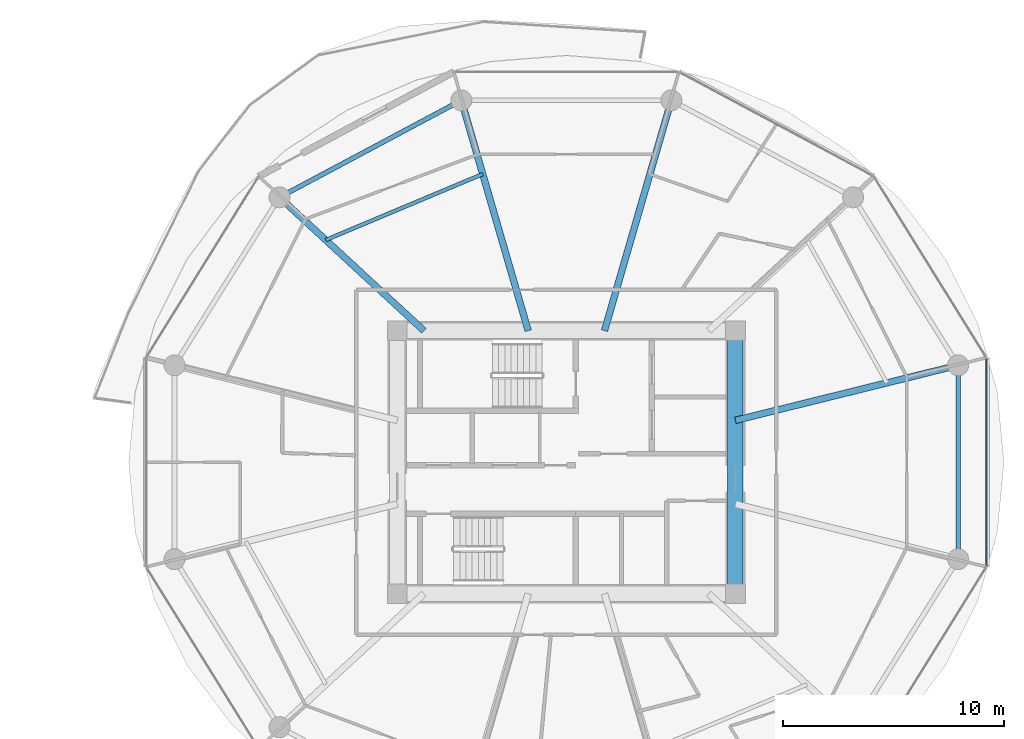
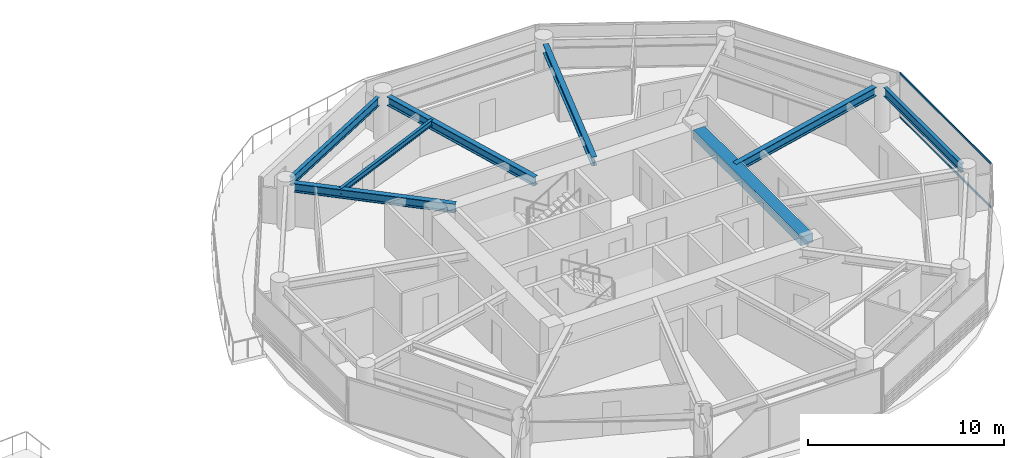
# One storey, part 12 of 26: 8 beams, 2 members, 1 element without a shape of its own.
"""IFC4 building model written with IfcOpenShell, lengths in metres."""

import ifcopenshell
import ifcopenshell.guid

model = None  # the IFC model being written
_history = None  # IfcOwnerHistory: only IFC2X3 demands one
_inside = {}  # id of a spatial element -> (the spatial element, [elements in it])
_under = {}  # id of a project, library or spatial element -> (it, [spatial elements below it])
_declared = {}  # id of a project -> (the project, [libraries it declares])
_typed = {}  # id of a type object -> (the type object, [elements of that type])
_made_of = {}  # id of a material, layer set ... -> (it, [elements and type objects made of it])


def new_model(schema):
    """Start an empty IFC model of exactly this schema.

    Asked for "IFC4X3", IfcOpenShell would pick the latest addendum, in which some entities
    have other attributes; the version numbers below select the first issue.
    IFC2X3 requires an IfcOwnerHistory on every rooted entity: one is made here for all.
    """
    global model, _history
    if schema == "IFC4X3":
        model = ifcopenshell.file(schema_version=(4, 3, 0, 0))
    else:
        model = ifcopenshell.file(schema=schema)
    _inside.clear()
    _under.clear()
    _declared.clear()
    _typed.clear()
    _made_of.clear()
    _history = None
    if model.schema == "IFC2X3":
        org = make("IfcOrganization", Name="unknown")
        user = make(
            "IfcPersonAndOrganization",
            ThePerson=make("IfcPerson", FamilyName="unknown"),
            TheOrganization=org,
        )
        app = make(
            "IfcApplication",
            ApplicationDeveloper=org,
            Version="unknown",
            ApplicationFullName="unknown",
            ApplicationIdentifier="unknown",
        )
        _history = make(
            "IfcOwnerHistory",
            OwningUser=user,
            OwningApplication=app,
            ChangeAction="ADDED",
            CreationDate=0,
        )
    return model


def make(cls, **values):
    """One entity of the class cls with the attributes given. An attribute that is None is left unset."""
    return model.create_entity(
        cls, **{name: value for name, value in values.items() if value is not None}
    )


def rooted(cls, **values):
    """An entity with a GlobalId (a new one), such as an element, a storey or a relation."""
    return make(cls, GlobalId=ifcopenshell.guid.new(), OwnerHistory=_history, **values)


def si_unit(unit_type, name, prefix=None):
    """IfcSIUnit, for example si_unit("LENGTHUNIT", "METRE", prefix="MILLI")."""
    return make("IfcSIUnit", UnitType=unit_type, Prefix=prefix, Name=name)


def assignment(units):
    """IfcUnitAssignment: the units of a project."""
    return None if units is None else make("IfcUnitAssignment", Units=units)


def point(xyz):
    """IfcCartesianPoint."""
    return None if xyz is None else make("IfcCartesianPoint", Coordinates=xyz)


def direction(xyz):
    """IfcDirection."""
    return None if xyz is None else make("IfcDirection", DirectionRatios=xyz)


def frame(location, z_axis=None, x_axis=None):
    """IfcAxis2Placement3D, a coordinate frame: its origin and axes. An axis left out is left unset."""
    return make(
        "IfcAxis2Placement3D",
        Location=point(location),
        Axis=direction(z_axis),
        RefDirection=direction(x_axis),
    )


def frame_2d(location, x_axis=None):
    """IfcAxis2Placement2D, a coordinate frame in the plane: its origin and x axis."""
    return make(
        "IfcAxis2Placement2D", Location=point(location), RefDirection=direction(x_axis)
    )


def origin():
    """The frame at (0, 0, 0) with its axes left unset."""
    return frame((0.0, 0.0, 0.0))


def origin_2d():
    """The frame at (0, 0) in the plane with its x axis left unset."""
    return frame_2d((0.0, 0.0))


def place(relative_to, where):
    """IfcLocalPlacement: puts the frame where relative to a parent placement (None: the world)."""
    return make(
        "IfcLocalPlacement", PlacementRelTo=relative_to, RelativePlacement=where
    )


def context(
    kind, dimensions, precision=None, world=None, true_north=None, identifier=None
):
    """IfcGeometricRepresentationContext, for example the 3D "Model" context."""
    return make(
        "IfcGeometricRepresentationContext",
        ContextIdentifier=identifier,
        ContextType=kind,
        CoordinateSpaceDimension=dimensions,
        Precision=precision,
        WorldCoordinateSystem=world,
        TrueNorth=true_north,
    )


def subcontext(parent, identifier, kind, view, scale=None):
    """IfcGeometricRepresentationSubContext, for example "Body" below "Model"."""
    return make(
        "IfcGeometricRepresentationSubContext",
        ContextIdentifier=identifier,
        ContextType=kind,
        ParentContext=parent,
        TargetScale=scale,
        TargetView=view,
    )


def project(units=None, contexts=None):
    """IfcProject with its units and contexts."""
    return rooted(
        "IfcProject",
        Name="project",
        RepresentationContexts=contexts,
        UnitsInContext=assignment(units),
    )


def spatial(cls, under=None, at=None, **own):
    """A site, building, storey or space (cls), placed at a placement, below another one or the project."""
    s = rooted(cls, ObjectPlacement=at, **own)
    if under is not None:
        _under.setdefault(under.id(), (under, []))[1].append(s)
    return s


def profile(cls, at=None, kind="AREA", **sizes):
    """A parametric profile (cls). Its sizes go by their IFC names, for example OverallWidth=200.0."""
    return make(cls, ProfileType=kind, Position=at, **sizes)


def rectangle(**sizes):
    """IfcRectangleProfileDef."""
    return profile("IfcRectangleProfileDef", **sizes)


def i_section(**sizes):
    """IfcIShapeProfileDef."""
    return profile("IfcIShapeProfileDef", **sizes)


def extrude(swept, where, along, depth):
    """IfcExtrudedAreaSolid: the profile swept, set in the frame where, extruded along a direction by depth."""
    return make(
        "IfcExtrudedAreaSolid",
        SweptArea=swept,
        Position=where,
        ExtrudedDirection=direction(along),
        Depth=depth,
    )


def shape(context_of_items, identifier, shape_type, items):
    """IfcShapeRepresentation: the items that make up one representation, for example the "Body"."""
    return make(
        "IfcShapeRepresentation",
        ContextOfItems=context_of_items,
        RepresentationIdentifier=identifier,
        RepresentationType=shape_type,
        Items=items,
    )


def source(mapping_origin, context_of_items, identifier, shape_type, items):
    """IfcRepresentationMap: a shape defined once, which mapped items show again and again."""
    return make(
        "IfcRepresentationMap",
        MappingOrigin=mapping_origin,
        MappedRepresentation=shape(context_of_items, identifier, shape_type, items),
    )


def transform(
    local_origin,
    x_axis=None,
    y_axis=None,
    z_axis=None,
    scale=None,
    scale2=None,
    scale3=None,
    uniform=True,
):
    """IfcCartesianTransformationOperator3D, or its non-uniform kind. x_axis, y_axis, z_axis: its Axis1, 2, 3."""
    if uniform:
        return make(
            "IfcCartesianTransformationOperator3D",
            Axis1=direction(x_axis),
            Axis2=direction(y_axis),
            LocalOrigin=point(local_origin),
            Scale=scale,
            Axis3=direction(z_axis),
        )
    return make(
        "IfcCartesianTransformationOperator3DnonUniform",
        Axis1=direction(x_axis),
        Axis2=direction(y_axis),
        LocalOrigin=point(local_origin),
        Scale=scale,
        Axis3=direction(z_axis),
        Scale2=scale2,
        Scale3=scale3,
    )


def mapped(mapping_source, mapping_target):
    """IfcMappedItem: shows the shape of a source again, moved by a transform."""
    return make(
        "IfcMappedItem", MappingSource=mapping_source, MappingTarget=mapping_target
    )


def material(Name=None, Category=None):
    """IfcMaterial."""
    return make("IfcMaterial", Name=Name, Category=Category)


def layer(
    of_material, thickness, ventilated=None, Name=None, Category=None, Priority=None
):
    """IfcMaterialLayer: one layer of a wall or slab, of a material (None: an air gap)."""
    return make(
        "IfcMaterialLayer",
        Material=of_material,
        LayerThickness=thickness,
        IsVentilated=ventilated,
        Name=Name,
        Category=Category,
        Priority=Priority,
    )


def layer_set(layers, Name=None):
    """IfcMaterialLayerSet."""
    return make("IfcMaterialLayerSet", MaterialLayers=layers, LayerSetName=Name)


def material_profile(
    of_material, cross_section, Name=None, Category=None, Priority=None
):
    """IfcMaterialProfile: a cross section and its material."""
    return make(
        "IfcMaterialProfile",
        Name=Name,
        Material=of_material,
        Profile=cross_section,
        Priority=Priority,
        Category=Category,
    )


def profile_set(profiles, Name=None, composite=None):
    """IfcMaterialProfileSet."""
    return make(
        "IfcMaterialProfileSet",
        Name=Name,
        MaterialProfiles=profiles,
        CompositeProfile=composite,
    )


def made_of(thing, what):
    """Note that an element or type object is made of a material, layer set ...; save() writes the relation."""
    if what is not None:
        _made_of.setdefault(what.id(), (what, []))[1].append(thing)
    return thing


def type_object(cls, material=None, **own):
    """A type object (cls), such as IfcWallType, which elements share."""
    return made_of(rooted(cls, **own), material)


def type_shapes(of_type, sources):
    """Give a type object the sources (RepresentationMaps) that its elements show as mapped items."""
    of_type.RepresentationMaps = sources


def element(
    cls,
    number,
    at=None,
    inside=None,
    cuts=None,
    type_object=None,
    material=None,
    context=None,
    identifier="Body",
    shape_type=None,
    held_by="IfcProductDefinitionShape",
    body=None,
    shapes=None,
    **own,
):
    """One element of the class cls, such as IfcWall. Its Tag is "e" and its number.

    at: its placement. inside: the storey or other place that contains it. cuts: it is an
    opening in that element (IfcRelVoidsElement). A single representation is given by context,
    identifier, shape_type and body (its items); several are given by shapes. held_by: the class
    of the entity that holds the representations. save() writes the other relations.
    """
    e = rooted(cls, Tag="e%d" % number, ObjectPlacement=at, **own)
    if body is not None:
        shapes = [shape(context, identifier, shape_type, body)]
    if shapes is not None:
        e.Representation = make(held_by, Representations=shapes)
    if inside is not None:
        _inside.setdefault(inside.id(), (inside, []))[1].append(e)
    if cuts is not None:
        rooted(
            "IfcRelVoidsElement", RelatingBuildingElement=cuts, RelatedOpeningElement=e
        )
    if type_object is not None:
        _typed.setdefault(type_object.id(), (type_object, []))[1].append(e)
    return made_of(e, material)


def aggregate(whole, parts):
    """IfcRelAggregates: a whole, such as a stair, and the parts it consists of."""
    return rooted("IfcRelAggregates", RelatingObject=whole, RelatedObjects=parts)


def save(model, path):
    """Write the relations noted so far, then the file.

    IfcRelAggregates (storeys below a building ...), IfcRelContainedInSpatialStructure (elements
    in a storey), IfcRelDefinesByType, IfcRelAssociatesMaterial and IfcRelDeclares: one each for
    every whole, place, type object, material and project.
    """
    for whole, parts in _under.values():
        aggregate(whole, parts)
    for where, things in _inside.values():
        rooted(
            "IfcRelContainedInSpatialStructure",
            RelatedElements=things,
            RelatingStructure=where,
        )
    for kind, things in _typed.values():
        rooted("IfcRelDefinesByType", RelatedObjects=things, RelatingType=kind)
    for what, things in _made_of.values():
        rooted("IfcRelAssociatesMaterial", RelatedObjects=things, RelatingMaterial=what)
    for by, libraries in _declared.values():
        rooted("IfcRelDeclares", RelatingContext=by, RelatedDefinitions=libraries)
    model.write(path)


model = new_model("IFC4")

# Units and contexts
model_context = context("Model", 3, precision=1e-05, world=origin(), true_north=direction((0.0, 1.0)))
body_context = subcontext(model_context, "Body", "Model", "MODEL_VIEW")
ifc_project = project(units=[si_unit("LENGTHUNIT", "METRE"), si_unit("AREAUNIT", "SQUARE_METRE"), si_unit("VOLUMEUNIT", "CUBIC_METRE"), si_unit("PLANEANGLEUNIT", "RADIAN"), si_unit("MASSUNIT", "GRAM", prefix="KILO")], contexts=[model_context])

# Site, building, storey
site_placement = place(None, origin())
site = spatial("IfcSite", under=ifc_project, at=site_placement, CompositionType="ELEMENT")
building_placement = place(site_placement, origin())
building = spatial("IfcBuilding", under=site, at=building_placement, Name="Norrkilde Senior Care Towers", CompositionType="ELEMENT")
storey_placement = place(building_placement, frame((0.0, 0.0, 64.300048828125)))
storey = spatial("IfcBuildingStorey", under=building, at=storey_placement, Name="L19", CompositionType="ELEMENT", Elevation=64.300048828125)

# Beams
ifc_material_1 = material(Name="Concrete C60/75", Category="concrete")
ifc_material_profile_1 = material_profile(ifc_material_1, rectangle(XDim=0.699951171875, YDim=0.550048828125, at=origin_2d()), Name="RC BM 700x550")
ifc_profile_set_1 = profile_set([ifc_material_profile_1], Name="Concrete C60/75")
beam_type_1 = type_object("IfcBeamType", Name="Core Portal Coupling Beam 700x550", PredefinedType="USERDEFINED", material=ifc_profile_set_1)
shared_shape_1 = source(origin(), body_context, "Body", "SweptSolid", [
    extrude(rectangle(XDim=0.699951171875, YDim=0.550048828125, at=origin_2d()), origin(), (0.0, 0.0, 1.0), 11.0400390625),
])
type_shapes(beam_type_1, [shared_shape_1])
beam_1_placement = place(storey_placement, frame((35.64990234375, -5.52001953125, 2.514892578125), z_axis=(0.0, 1.0, 0.0), x_axis=(-1.0, 0.0, 0.0)))
element("IfcBeam", 1, at=beam_1_placement, inside=storey, type_object=beam_type_1, Name="L19 Core E E Coupling Girder", ObjectType="GIRDER", PredefinedType="USERDEFINED", context=body_context, shape_type="MappedRepresentation", body=[
    mapped(shared_shape_1, transform((0.0, 0.0, 0.0), x_axis=(1.0, 0.0, 0.0), y_axis=(0.0, 1.0, 0.0), z_axis=(0.0, 0.0, 1.0), scale=1.0)),
])
ifc_material_2 = material(Name="Steel S355", Category="steel")
ifc_material_profile_2 = material_profile(ifc_material_2, i_section(OverallWidth=0.300048828125, OverallDepth=0.550048828125, WebThickness=0.014892578125, FlangeThickness=0.029052734375, FilletRadius=0.027099609375, at=origin_2d()), Name="HEB 550")
ifc_profile_set_2 = profile_set([ifc_material_profile_2], Name="Steel S355")
beam_type_2 = type_object("IfcBeamType", Name="Radial Floor Beam Z1 HEB550", PredefinedType="BEAM", material=ifc_profile_set_2)
shared_shape_2 = source(origin(), body_context, "Body", "SweptSolid", [
    extrude(i_section(OverallWidth=0.300048828125, OverallDepth=0.550048828125, WebThickness=0.014892578125, FlangeThickness=0.029052734375, FilletRadius=0.027099609375, at=origin_2d()), origin(), (0.0, 0.0, 1.0), 9.94384765625),
])
beam_2_placement = place(storey_placement, frame((35.64990234375, 1.893310546875, 2.514892578125), z_axis=(0.970707425182, 0.240264634718, 0.0), x_axis=(-0.240264634718, 0.970707425182, 0.0)))
element("IfcBeam", 2, at=beam_2_placement, inside=storey, type_object=beam_type_2, Name="L19 Drum E Radial Floor Beam 01", PredefinedType="BEAM", context=body_context, shape_type="MappedRepresentation", body=[
    mapped(shared_shape_2, transform((0.0, 0.0, 0.0), x_axis=(1.0, 0.0, 0.0), y_axis=(0.0, 1.0, 0.0), z_axis=(0.0, 0.0, 1.0), scale=1.0)),
])
ifc_material_profile_3 = material_profile(ifc_material_2, i_section(OverallWidth=0.2099609375, OverallDepth=0.550048828125, WebThickness=0.010986328125, FlangeThickness=0.01708984375, FilletRadius=0.02392578125, at=origin_2d()), Name="IPE 550")
ifc_profile_set_3 = profile_set([ifc_material_profile_3], Name="Steel S355")
beam_type_3 = type_object("IfcBeamType", Name="Perimeter Ring Spandrel Z1 IPE550", PredefinedType="SPANDREL", material=ifc_profile_set_3)
shared_shape_3 = source(origin(), body_context, "Body", "SweptSolid", [
    extrude(i_section(OverallWidth=0.2099609375, OverallDepth=0.550048828125, WebThickness=0.010986328125, FlangeThickness=0.01708984375, FilletRadius=0.02392578125, at=origin_2d()), origin(), (0.0, 0.0, 1.0), 8.452880859375),
])
beam_3_placement = place(storey_placement, frame((22.866943359375, 16.167724609375, 2.514892578125), z_axis=(-0.882368931134, -0.470558252898, 0.0), x_axis=(0.470558252898, -0.882368931134, 0.0)))
element("IfcBeam", 3, at=beam_3_placement, inside=storey, type_object=beam_type_3, Name="L19 Drum E Perimeter Spandrel 04", PredefinedType="SPANDREL", context=body_context, shape_type="MappedRepresentation", body=[
    mapped(shared_shape_3, transform((0.0, 0.0, 0.0), x_axis=(1.0, 0.0, 0.0), y_axis=(0.0, 1.0, 0.0), z_axis=(0.0, 0.0, 1.0), scale=1.0)),
])
shared_shape_4 = source(origin(), body_context, "Body", "SweptSolid", [
    extrude(i_section(OverallWidth=0.300048828125, OverallDepth=0.550048828125, WebThickness=0.014892578125, FlangeThickness=0.029052734375, FilletRadius=0.027099609375, at=origin_2d()), origin(), (0.0, 0.0, 1.0), 8.459716796875),
])
beam_4_placement = place(storey_placement, frame((21.55859375, 5.949951171875, 2.514892578125), z_axis=(-0.734573269108, 0.678529374686, 0.0), x_axis=(-0.678529374686, -0.734573269108, 0.0)))
element("IfcBeam", 4, at=beam_4_placement, inside=storey, type_object=beam_type_2, Name="L19 Drum E Radial Floor Beam 05", PredefinedType="BEAM", context=body_context, shape_type="MappedRepresentation", body=[
    mapped(shared_shape_4, transform((0.0, 0.0, 0.0), x_axis=(1.0, 0.0, 0.0), y_axis=(0.0, 1.0, 0.0), z_axis=(0.0, 0.0, 1.0), scale=1.0)),
])
shared_shape_5 = source(origin(), body_context, "Body", "SweptSolid", [
    extrude(i_section(OverallWidth=0.300048828125, OverallDepth=0.550048828125, WebThickness=0.014892578125, FlangeThickness=0.029052734375, FilletRadius=0.027099609375, at=origin_2d()), origin(), (0.0, 0.0, 1.0), 10.4169921875),
])
type_shapes(beam_type_2, [shared_shape_2, shared_shape_4, shared_shape_5])
for number, where, z_axis, x_axis, name in (
    (5, (29.72607421875, 5.949951171875, 2.514892578125), (0.278591250785, 0.960409764104, 0.0), (-0.960409764104, 0.278591250785, 0.0), "L19 Drum E Radial Floor Beam 03"),
    (6, (26.27392578125, 5.949951171875, 2.514892578125), (-0.278591250785, 0.960409764104, 0.0), (-0.960409764104, -0.278591250785, 0.0), "L19 Drum E Radial Floor Beam 04"),
):
    element("IfcBeam", number, at=place(storey_placement, frame(where, z_axis=z_axis, x_axis=x_axis)), inside=storey, type_object=beam_type_2, Name=name, PredefinedType="BEAM", context=body_context, shape_type="MappedRepresentation", body=[
        mapped(shared_shape_5, transform((0.0, 0.0, 0.0), x_axis=(1.0, 0.0, 0.0), y_axis=(0.0, 1.0, 0.0), z_axis=(0.0, 0.0, 1.0), scale=1.0)),
    ])
shared_shape_6 = source(origin(), body_context, "Body", "SweptSolid", [
    extrude(i_section(OverallWidth=0.2099609375, OverallDepth=0.550048828125, WebThickness=0.010986328125, FlangeThickness=0.01708984375, FilletRadius=0.02392578125, at=origin_2d()), origin(), (0.0, 0.0, 1.0), 7.90380859375),
])
type_shapes(beam_type_3, [shared_shape_3, shared_shape_6])
beam_5_placement = place(storey_placement, frame((45.724853515625, -3.951904296875, 2.514892578125), z_axis=(0.0, 1.0, 0.0), x_axis=(-1.0, 0.0, 0.0)))
element("IfcBeam", 7, at=beam_5_placement, inside=storey, type_object=beam_type_3, Name="L19 Drum E Perimeter Spandrel 12", PredefinedType="SPANDREL", context=body_context, shape_type="MappedRepresentation", body=[
    mapped(shared_shape_6, transform((0.0, 0.0, 0.0), x_axis=(1.0, 0.0, 0.0), y_axis=(0.0, 1.0, 0.0), z_axis=(0.0, 0.0, 1.0), scale=1.0)),
])
ifc_material_profile_4 = material_profile(ifc_material_2, i_section(OverallWidth=0.169921875, OverallDepth=0.360107421875, WebThickness=0.008056640625, FlangeThickness=0.0126953125, FilletRadius=0.01806640625, at=origin_2d()), Name="IPE 360")
ifc_profile_set_4 = profile_set([ifc_material_profile_4], Name="Steel S355")
beam_type_4 = type_object("IfcBeamType", Name="Secondary Floor Joist IPE360", PredefinedType="JOIST", material=ifc_profile_set_4)
shared_shape_7 = source(origin(), body_context, "Body", "SweptSolid", [
    extrude(i_section(OverallWidth=0.169921875, OverallDepth=0.360107421875, WebThickness=0.008056640625, FlangeThickness=0.0126953125, FilletRadius=0.01806640625, at=origin_2d()), origin(), (0.0, 0.0, 1.0), 7.703857421875),
])
type_shapes(beam_type_4, [shared_shape_7])
beam_6_placement = place(storey_placement, frame((24.21826171875, 13.037353515625, 2.60986328125), z_axis=(-0.921982784465, -0.387230868023, 0.0), x_axis=(0.387230868023, -0.921982784465, 0.0)))
element("IfcBeam", 8, at=beam_6_placement, inside=storey, type_object=beam_type_4, Name="L19 Drum E Secondary Floor Joist 2", PredefinedType="JOIST", context=body_context, shape_type="MappedRepresentation", body=[
    mapped(shared_shape_7, transform((0.0, 0.0, 0.0), x_axis=(1.0, 0.0, 0.0), y_axis=(0.0, 1.0, 0.0), z_axis=(0.0, 0.0, 1.0), scale=1.0)),
])

# Curtain wall, members
ifc_material_3 = material(Name="Triple Low-E Insulated Glazing", Category="glass")
ifc_layer = layer(ifc_material_3, 0.199951171875)
ifc_layer_set = layer_set([ifc_layer], Name="Triple Low-E Insulated Glazing")
curtain_wall_type = type_object("IfcCurtainWallType", Name="CW2 Zone 1 Memory Care Curtain Wall", PredefinedType="NOTDEFINED", material=ifc_layer_set)
curtain_wall_placement = place(storey_placement, origin())
curtain_wall = element("IfcCurtainWall", 9, at=curtain_wall_placement, inside=storey, type_object=curtain_wall_type, Name="L19 Drum E Curtain Wall 11", PredefinedType="NOTDEFINED")
ifc_material_4 = material(Name="Anodised Aluminium", Category="aluminium")
ifc_material_profile_5 = material_profile(ifc_material_4, rectangle(XDim=0.06005859375, YDim=0.1201171875, at=origin_2d()), Name="ALU TRAN 60x120")
ifc_profile_set_5 = profile_set([ifc_material_profile_5], Name="Anodised Aluminium")
member_type = type_object("IfcMemberType", Name="Curtain Wall Transom Typical 60x120", PredefinedType="USERDEFINED", material=ifc_profile_set_5)
shared_shape_8 = source(origin(), body_context, "Body", "SweptSolid", [
    extrude(rectangle(XDim=0.06005859375, YDim=0.1201171875, at=origin_2d()), origin(), (0.0, 0.0, 1.0), 9.33251953125),
])
type_shapes(member_type, [shared_shape_8])
member_1_placement = place(storey_placement, frame((47.009521484375, 4.666259765625, 0.030029296875), z_axis=(0.0, -1.0, 0.0), x_axis=(1.0, 0.0, 0.0)))
member_1 = element("IfcMember", 10, at=member_1_placement, type_object=member_type, Name="CW-2 transom 1.1", ObjectType="TRANSOM", PredefinedType="USERDEFINED", context=body_context, shape_type="MappedRepresentation", body=[
    mapped(shared_shape_8, transform((0.0, 0.0, 0.0), x_axis=(1.0, 0.0, 0.0), y_axis=(0.0, 1.0, 0.0), z_axis=(0.0, 0.0, 1.0), scale=1.0)),
])
member_2_placement = place(storey_placement, frame((47.009521484375, 4.666259765625, 2.760009765625), z_axis=(0.0, -1.0, 0.0), x_axis=(1.0, 0.0, 0.0)))
member_2 = element("IfcMember", 11, at=member_2_placement, type_object=member_type, Name="CW-2 transom 1.2", ObjectType="TRANSOM", PredefinedType="USERDEFINED", context=body_context, shape_type="MappedRepresentation", body=[
    mapped(shared_shape_8, transform((0.0, 0.0, 0.0), x_axis=(1.0, 0.0, 0.0), y_axis=(0.0, 1.0, 0.0), z_axis=(0.0, 0.0, 1.0), scale=1.0)),
])
aggregate(curtain_wall, [member_1, member_2])

save(model, "model.ifc")
